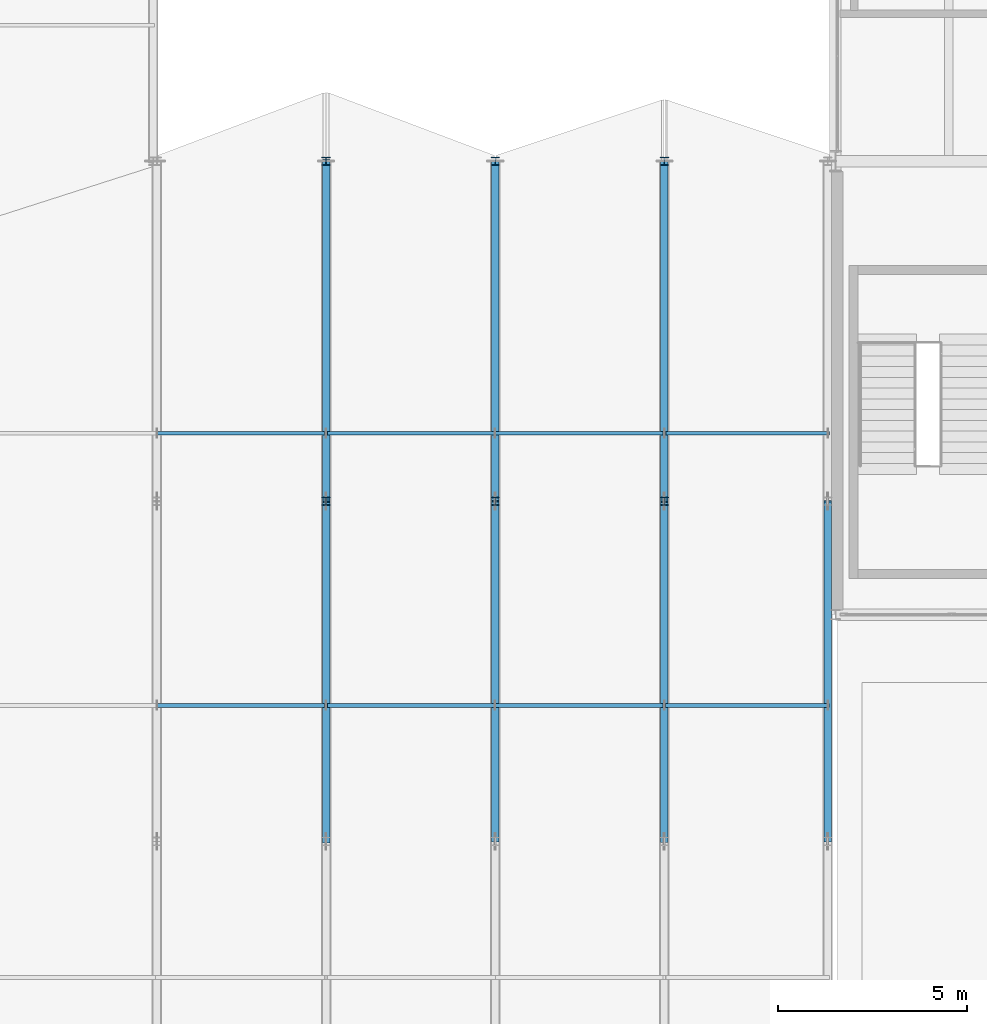
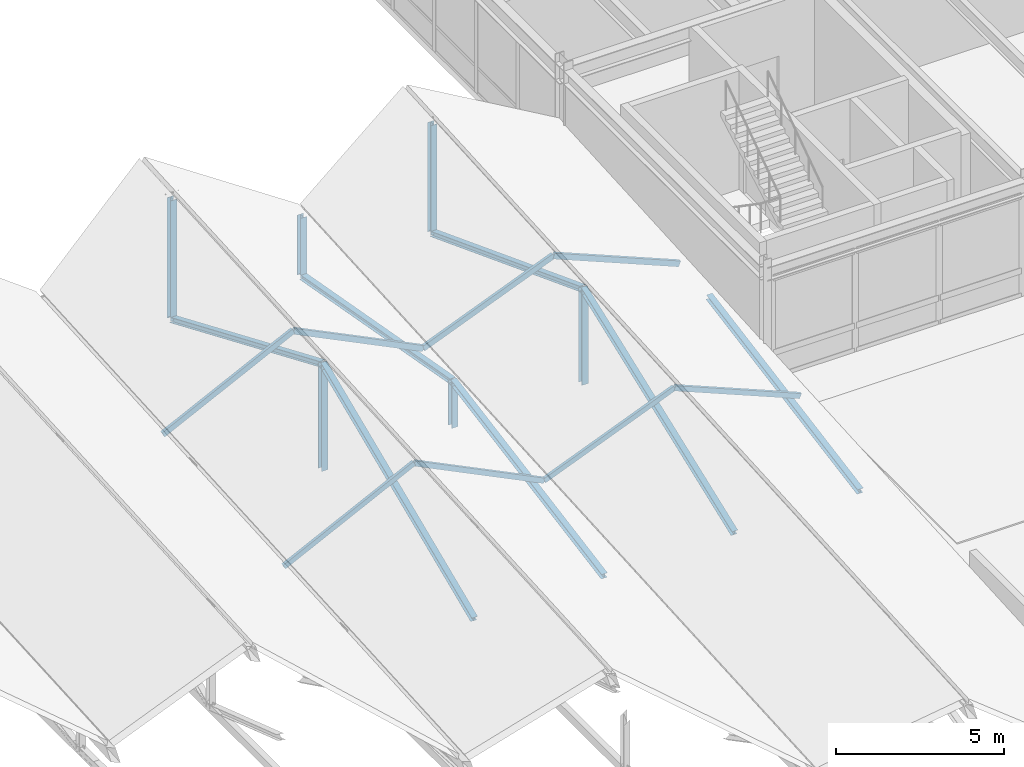
# One storey, part 71 of 142: 21 members.
"""IFC4 building model written with IfcOpenShell, lengths in metres."""

from ifc_helpers import new_model, si_unit, direction, frame, origin, origin_2d, place, context, subcontext, project, spatial, hollow_rectangle, i_section, extrude, material, material_profile, profile_set, type_object, element, save


model = new_model("IFC4")

# Units and contexts
model_context = context("Model", 3, precision=1e-05, world=origin(), true_north=direction((0.0, 1.0)))
body_context = subcontext(model_context, "Body", "Model", "MODEL_VIEW")
ifc_project = project(units=[si_unit("LENGTHUNIT", "METRE"), si_unit("AREAUNIT", "SQUARE_METRE"), si_unit("VOLUMEUNIT", "CUBIC_METRE"), si_unit("PLANEANGLEUNIT", "RADIAN"), si_unit("MASSUNIT", "GRAM", prefix="KILO")], contexts=[model_context])

# Site, building, storey
site_placement = place(None, origin())
site = spatial("IfcSite", under=ifc_project, at=site_placement, CompositionType="ELEMENT")
building_placement = place(site_placement, origin())
building = spatial("IfcBuilding", under=site, at=building_placement, Name="Montelvaro Courts of Justice", CompositionType="ELEMENT")
storey_placement = place(building_placement, frame((0.0, 0.0, 14.39990234375)))
storey = spatial("IfcBuildingStorey", under=building, at=storey_placement, Name="L03", CompositionType="ELEMENT", Elevation=14.39990234375)

# Members
ifc_material = material(Name="Steel S355", Category="steel")
ifc_material_profile_1 = material_profile(ifc_material, i_section(OverallWidth=0.199951171875, OverallDepth=0.18994140625, WebThickness=0.006591796875, FlangeThickness=0.010009765625, at=origin_2d()), Name="HEA 200")
ifc_profile_set_1 = profile_set([ifc_material_profile_1], Name="Steel S355")
member_type_1 = type_object("IfcMemberType", Name="Mem_HEA200_Brace", PredefinedType="BRACE", material=ifc_profile_set_1)
for number, where, z_axis, x_axis, name in (
    (1, (90.0, 60.0, -0.2998046875), (0.0, 0.983994378641, 0.178199502816), (-1.0, 0.0, 0.0), "Roof Truss Web MB-02 ROOF-PASSAGE-VTR05-W3"),
    (2, (90.0, 69.0, 1.330078125), (0.0, 0.983994378641, -0.178199502816), (-1.0, 0.0, 0.0), "Roof Truss Web MB-02 ROOF-PASSAGE-VTR05-W4"),
    (3, (98.800048828125, 60.0, -0.2998046875), (0.0, 0.983994378641, 0.178199502816), (-1.0, 0.0, 0.0), "Roof Truss Web MB-02 ROOF-PASSAGE-VTR06-W3"),
):
    element("IfcMember", number, at=place(storey_placement, frame(where, z_axis=z_axis, x_axis=x_axis)), inside=storey, type_object=member_type_1, Name=name, PredefinedType="BRACE", context=body_context, shape_type="SweptSolid", body=[
        extrude(i_section(OverallWidth=0.199951171875, OverallDepth=0.18994140625, WebThickness=0.006591796875, FlangeThickness=0.010009765625, at=origin_2d()), origin(), (0.0, 0.0, 1.0), 9.146484375),
    ])
for number, where, z_axis, x_axis, name in (
    (4, (85.52490234375, 60.0, -0.2998046875), (0.0, 0.920152913529, 0.391559211006), (-1.0, 0.0, 0.0), "Roof Truss Web MB-02 ROOF-PASSAGE-RTR04-W3"),
    (5, (85.52490234375, 69.0, 3.530029296875), (0.0, 0.920152913529, -0.391559211006), (-1.0, 0.0, 0.0), "Roof Truss Web MB-02 ROOF-PASSAGE-RTR04-W4"),
):
    element("IfcMember", number, at=place(storey_placement, frame(where, z_axis=z_axis, x_axis=x_axis)), inside=storey, type_object=member_type_1, Name=name, PredefinedType="BRACE", context=body_context, shape_type="SweptSolid", body=[
        extrude(i_section(OverallWidth=0.199951171875, OverallDepth=0.18994140625, WebThickness=0.006591796875, FlangeThickness=0.010009765625, at=origin_2d()), origin(), (0.0, 0.0, 1.0), 9.781005859375),
    ])
for number, where, z_axis, x_axis, name in (
    (6, (94.47509765625, 60.0, -0.2998046875), (0.0, 0.934440744544, 0.356118652889), (-1.0, 0.0, 0.0), "Roof Truss Web MB-02 ROOF-PASSAGE-RTR05-W3"),
    (7, (94.47509765625, 69.0, 3.130126953125), (0.0, 0.934440744544, -0.356118652889), (-1.0, 0.0, 0.0), "Roof Truss Web MB-02 ROOF-PASSAGE-RTR05-W4"),
):
    element("IfcMember", number, at=place(storey_placement, frame(where, z_axis=z_axis, x_axis=x_axis)), inside=storey, type_object=member_type_1, Name=name, PredefinedType="BRACE", context=body_context, shape_type="SweptSolid", body=[
        extrude(i_section(OverallWidth=0.199951171875, OverallDepth=0.18994140625, WebThickness=0.006591796875, FlangeThickness=0.010009765625, at=origin_2d()), origin(), (0.0, 0.0, 1.0), 9.63134765625),
    ])
ifc_material_profile_2 = material_profile(ifc_material, i_section(OverallWidth=0.219970703125, OverallDepth=0.2099609375, WebThickness=0.007080078125, FlangeThickness=0.010986328125, at=origin_2d()), Name="HEA 220")
ifc_profile_set_2 = profile_set([ifc_material_profile_2], Name="Steel S355")
member_type_2 = type_object("IfcMemberType", Name="Mem_HEA220_Post", PredefinedType="POST", material=ifc_profile_set_2)
member_1_placement = place(storey_placement, frame((90.0, 69.0, -0.2998046875), z_axis=(0.0, 0.0, 1.0), x_axis=(1.0, 0.0, 0.0)))
element("IfcMember", 8, at=member_1_placement, inside=storey, type_object=member_type_2, Name="Roof Truss Post MP-03 ROOF-PASSAGE-VTR05-V3", PredefinedType="POST", context=body_context, shape_type="SweptSolid", body=[
    extrude(i_section(OverallWidth=0.219970703125, OverallDepth=0.2099609375, WebThickness=0.007080078125, FlangeThickness=0.010986328125, at=origin_2d()), origin(), (0.0, 0.0, 1.0), 1.6298828125),
])
member_2_placement = place(storey_placement, frame((90.0, 78.0, -0.2998046875), z_axis=(0.0, 0.0, 1.0), x_axis=(1.0, 0.0, 0.0)))
element("IfcMember", 9, at=member_2_placement, inside=storey, type_object=member_type_2, Name="Roof Truss Post MP-03 ROOF-PASSAGE-VTR05-V4", PredefinedType="POST", context=body_context, shape_type="SweptSolid", body=[
    extrude(i_section(OverallWidth=0.219970703125, OverallDepth=0.2099609375, WebThickness=0.007080078125, FlangeThickness=0.010986328125, at=origin_2d()), origin(), (0.0, 0.0, 1.0), 2.179931640625),
])
member_3_placement = place(storey_placement, frame((85.52490234375, 69.0, -0.2998046875), z_axis=(0.0, 0.0, 1.0), x_axis=(1.0, 0.0, 0.0)))
element("IfcMember", 10, at=member_3_placement, inside=storey, type_object=member_type_2, Name="Roof Truss Post MP-03 ROOF-PASSAGE-RTR04-V3", PredefinedType="POST", context=body_context, shape_type="SweptSolid", body=[
    extrude(i_section(OverallWidth=0.219970703125, OverallDepth=0.2099609375, WebThickness=0.007080078125, FlangeThickness=0.010986328125, at=origin_2d()), origin(), (0.0, 0.0, 1.0), 3.829833984375),
])
member_4_placement = place(storey_placement, frame((85.52490234375, 78.0, -0.2998046875), z_axis=(0.0, 0.0, 1.0), x_axis=(1.0, 0.0, 0.0)))
element("IfcMember", 11, at=member_4_placement, inside=storey, type_object=member_type_2, Name="Roof Truss Post MP-03 ROOF-PASSAGE-RTR04-V4", PredefinedType="POST", context=body_context, shape_type="SweptSolid", body=[
    extrude(i_section(OverallWidth=0.219970703125, OverallDepth=0.2099609375, WebThickness=0.007080078125, FlangeThickness=0.010986328125, at=origin_2d()), origin(), (0.0, 0.0, 1.0), 4.3798828125),
])
member_5_placement = place(storey_placement, frame((94.47509765625, 69.0, -0.2998046875), z_axis=(0.0, 0.0, 1.0), x_axis=(1.0, 0.0, 0.0)))
element("IfcMember", 12, at=member_5_placement, inside=storey, type_object=member_type_2, Name="Roof Truss Post MP-03 ROOF-PASSAGE-RTR05-V3", PredefinedType="POST", context=body_context, shape_type="SweptSolid", body=[
    extrude(i_section(OverallWidth=0.219970703125, OverallDepth=0.2099609375, WebThickness=0.007080078125, FlangeThickness=0.010986328125, at=origin_2d()), origin(), (0.0, 0.0, 1.0), 3.429931640625),
])
member_6_placement = place(storey_placement, frame((94.47509765625, 78.0, -0.2998046875), z_axis=(0.0, 0.0, 1.0), x_axis=(1.0, 0.0, 0.0)))
element("IfcMember", 13, at=member_6_placement, inside=storey, type_object=member_type_2, Name="Roof Truss Post MP-03 ROOF-PASSAGE-RTR05-V4", PredefinedType="POST", context=body_context, shape_type="SweptSolid", body=[
    extrude(i_section(OverallWidth=0.219970703125, OverallDepth=0.2099609375, WebThickness=0.007080078125, FlangeThickness=0.010986328125, at=origin_2d()), origin(), (0.0, 0.0, 1.0), 3.97998046875),
])
ifc_material_profile_3 = material_profile(ifc_material, hollow_rectangle(XDim=0.10009765625, YDim=0.179931640625, WallThickness=0.008056640625, at=origin_2d()), Name="RHS 180x100x8")
ifc_profile_set_3 = profile_set([ifc_material_profile_3], Name="Steel S355")
member_type_3 = type_object("IfcMemberType", Name="Mem_RHS180_Purlin", PredefinedType="PURLIN", material=ifc_profile_set_3)
member_7_placement = place(storey_placement, frame((81.050048828125, 63.60009765625, 1.0), z_axis=(0.897393825733, 0.0, 0.441230463064), x_axis=(0.0, 1.0, 0.0)))
element("IfcMember", 14, at=member_7_placement, inside=storey, type_object=member_type_3, Name="Roof Purlin MR-03 ROOF-PASSAGE-PRL-04-3L", PredefinedType="PURLIN", context=body_context, shape_type="SweptSolid", body=[
    extrude(hollow_rectangle(XDim=0.10009765625, YDim=0.179931640625, WallThickness=0.008056640625, at=origin_2d()), origin(), (0.0, 0.0, 1.0), 4.986572265625),
])
member_8_placement = place(storey_placement, frame((85.52490234375, 63.60009765625, 3.2001953125), z_axis=(0.897403356913, 0.0, -0.441211077605), x_axis=(0.0, 1.0, 0.0)))
element("IfcMember", 15, at=member_8_placement, inside=storey, type_object=member_type_3, Name="Roof Purlin MR-03 ROOF-PASSAGE-PRL-04-3R", PredefinedType="PURLIN", context=body_context, shape_type="SweptSolid", body=[
    extrude(hollow_rectangle(XDim=0.10009765625, YDim=0.179931640625, WallThickness=0.008056640625, at=origin_2d()), origin(), (0.0, 0.0, 1.0), 4.98681640625),
])
member_9_placement = place(storey_placement, frame((90.0, 63.60009765625, 1.0), z_axis=(0.927759386524, 0.0, 0.373178939271), x_axis=(0.0, 1.0, 0.0)))
element("IfcMember", 16, at=member_9_placement, inside=storey, type_object=member_type_3, Name="Roof Purlin MR-03 ROOF-PASSAGE-PRL-05-3L", PredefinedType="PURLIN", context=body_context, shape_type="SweptSolid", body=[
    extrude(hollow_rectangle(XDim=0.10009765625, YDim=0.179931640625, WallThickness=0.008056640625, at=origin_2d()), origin(), (0.0, 0.0, 1.0), 4.823486328125),
])
member_10_placement = place(storey_placement, frame((94.47509765625, 63.60009765625, 2.800048828125), z_axis=(0.923229496934, 0.0, -0.384249002591), x_axis=(0.0, 1.0, 0.0)))
element("IfcMember", 17, at=member_10_placement, inside=storey, type_object=member_type_3, Name="Roof Purlin MR-03 ROOF-PASSAGE-PRL-05-3R", PredefinedType="PURLIN", context=body_context, shape_type="SweptSolid", body=[
    extrude(hollow_rectangle(XDim=0.10009765625, YDim=0.179931640625, WallThickness=0.008056640625, at=origin_2d()), origin(), (0.0, 0.0, 1.0), 4.6845703125),
])
ifc_material_profile_4 = material_profile(ifc_material, hollow_rectangle(XDim=0.10009765625, YDim=0.199951171875, WallThickness=0.008056640625, at=origin_2d()), Name="RHS 200x100x8")
ifc_profile_set_4 = profile_set([ifc_material_profile_4], Name="Steel S355")
member_type_4 = type_object("IfcMemberType", Name="Mem_RHS200_Purlin", PredefinedType="PURLIN", material=ifc_profile_set_4)
member_11_placement = place(storey_placement, frame((81.050048828125, 70.800048828125, 1.440185546875), z_axis=(0.897413211494, 0.0, 0.441191033268), x_axis=(0.0, 1.0, 0.0)))
element("IfcMember", 18, at=member_11_placement, inside=storey, type_object=member_type_4, Name="Roof Purlin MR-04 ROOF-PASSAGE-PRL-04-4L", PredefinedType="PURLIN", context=body_context, shape_type="SweptSolid", body=[
    extrude(hollow_rectangle(XDim=0.10009765625, YDim=0.199951171875, WallThickness=0.008056640625, at=origin_2d()), origin(), (0.0, 0.0, 1.0), 4.986328125),
])
member_12_placement = place(storey_placement, frame((85.52490234375, 70.800048828125, 3.64013671875), z_axis=(0.897422741176, 0.0, -0.441171648704), x_axis=(0.0, 1.0, 0.0)))
element("IfcMember", 19, at=member_12_placement, inside=storey, type_object=member_type_4, Name="Roof Purlin MR-04 ROOF-PASSAGE-PRL-04-4R", PredefinedType="PURLIN", context=body_context, shape_type="SweptSolid", body=[
    extrude(hollow_rectangle(XDim=0.10009765625, YDim=0.199951171875, WallThickness=0.008056640625, at=origin_2d()), origin(), (0.0, 0.0, 1.0), 4.986572265625),
])
member_13_placement = place(storey_placement, frame((90.0, 70.800048828125, 1.440185546875), z_axis=(0.927776909515, 0.0, 0.373135372447), x_axis=(0.0, 1.0, 0.0)))
element("IfcMember", 20, at=member_13_placement, inside=storey, type_object=member_type_4, Name="Roof Purlin MR-04 ROOF-PASSAGE-PRL-05-4L", PredefinedType="PURLIN", context=body_context, shape_type="SweptSolid", body=[
    extrude(hollow_rectangle(XDim=0.10009765625, YDim=0.199951171875, WallThickness=0.008056640625, at=origin_2d()), origin(), (0.0, 0.0, 1.0), 4.823486328125),
])
member_14_placement = place(storey_placement, frame((94.47509765625, 70.800048828125, 3.239990234375), z_axis=(0.923247984278, 0.0, -0.384204580305), x_axis=(0.0, 1.0, 0.0)))
element("IfcMember", 21, at=member_14_placement, inside=storey, type_object=member_type_4, Name="Roof Purlin MR-04 ROOF-PASSAGE-PRL-05-4R", PredefinedType="PURLIN", context=body_context, shape_type="SweptSolid", body=[
    extrude(hollow_rectangle(XDim=0.10009765625, YDim=0.199951171875, WallThickness=0.008056640625, at=origin_2d()), origin(), (0.0, 0.0, 1.0), 4.6845703125),
])

save(model, "model.ifc")
